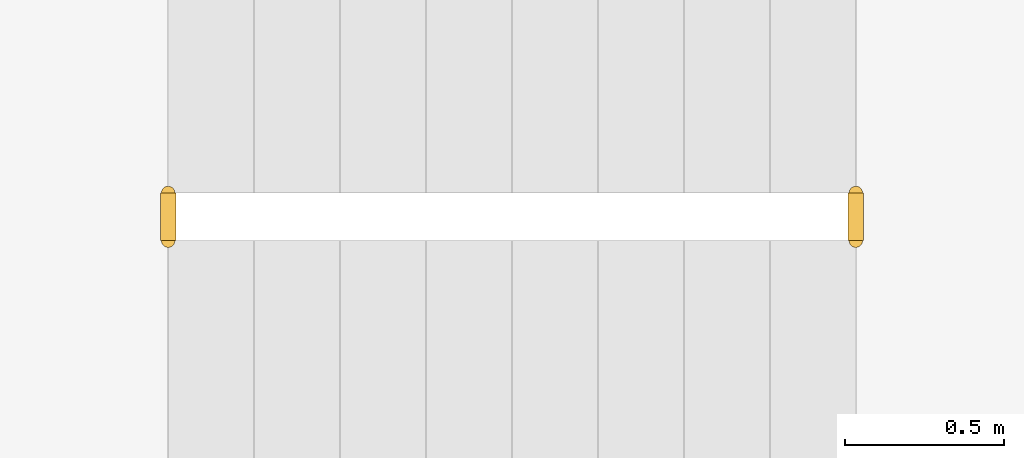
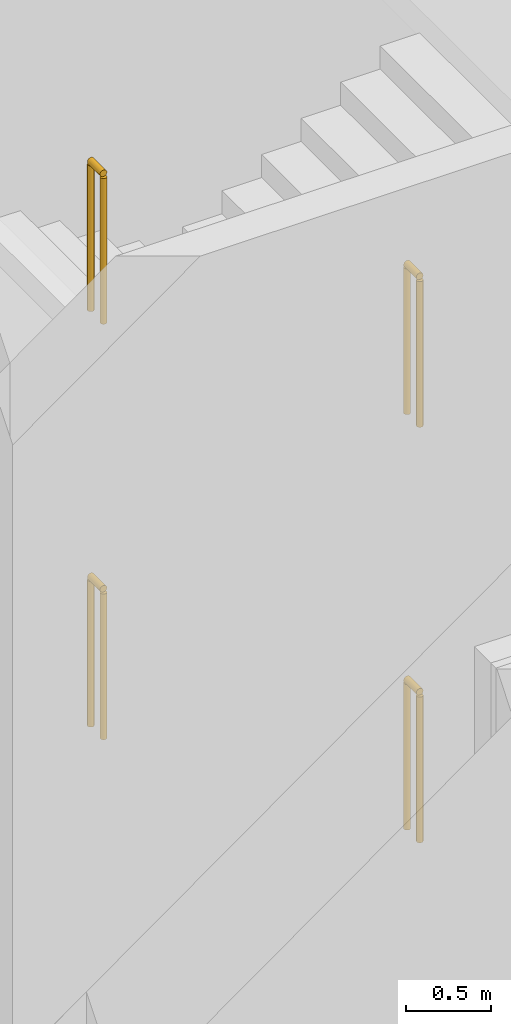
# One storey, part 16 of 25: 4 railings.
"""IFC4 building model written with IfcOpenShell, lengths in metres."""

import ifcopenshell
import ifcopenshell.guid

model = None  # the IFC model being written
_history = None  # IfcOwnerHistory: only IFC2X3 demands one
_inside = {}  # id of a spatial element -> (the spatial element, [elements in it])
_under = {}  # id of a project, library or spatial element -> (it, [spatial elements below it])
_declared = {}  # id of a project -> (the project, [libraries it declares])
_typed = {}  # id of a type object -> (the type object, [elements of that type])
_made_of = {}  # id of a material, layer set ... -> (it, [elements and type objects made of it])


def new_model(schema):
    """Start an empty IFC model of exactly this schema.

    Asked for "IFC4X3", IfcOpenShell would pick the latest addendum, in which some entities
    have other attributes; the version numbers below select the first issue.
    IFC2X3 requires an IfcOwnerHistory on every rooted entity: one is made here for all.
    """
    global model, _history
    if schema == "IFC4X3":
        model = ifcopenshell.file(schema_version=(4, 3, 0, 0))
    else:
        model = ifcopenshell.file(schema=schema)
    _inside.clear()
    _under.clear()
    _declared.clear()
    _typed.clear()
    _made_of.clear()
    _history = None
    if model.schema == "IFC2X3":
        org = make("IfcOrganization", Name="unknown")
        user = make(
            "IfcPersonAndOrganization",
            ThePerson=make("IfcPerson", FamilyName="unknown"),
            TheOrganization=org,
        )
        app = make(
            "IfcApplication",
            ApplicationDeveloper=org,
            Version="unknown",
            ApplicationFullName="unknown",
            ApplicationIdentifier="unknown",
        )
        _history = make(
            "IfcOwnerHistory",
            OwningUser=user,
            OwningApplication=app,
            ChangeAction="ADDED",
            CreationDate=0,
        )
    return model


def make(cls, **values):
    """One entity of the class cls with the attributes given. An attribute that is None is left unset."""
    return model.create_entity(
        cls, **{name: value for name, value in values.items() if value is not None}
    )


def rooted(cls, **values):
    """An entity with a GlobalId (a new one), such as an element, a storey or a relation."""
    return make(cls, GlobalId=ifcopenshell.guid.new(), OwnerHistory=_history, **values)


def si_unit(unit_type, name, prefix=None):
    """IfcSIUnit, for example si_unit("LENGTHUNIT", "METRE", prefix="MILLI")."""
    return make("IfcSIUnit", UnitType=unit_type, Prefix=prefix, Name=name)


def assignment(units):
    """IfcUnitAssignment: the units of a project."""
    return None if units is None else make("IfcUnitAssignment", Units=units)


def point(xyz):
    """IfcCartesianPoint."""
    return None if xyz is None else make("IfcCartesianPoint", Coordinates=xyz)


def direction(xyz):
    """IfcDirection."""
    return None if xyz is None else make("IfcDirection", DirectionRatios=xyz)


def frame(location, z_axis=None, x_axis=None):
    """IfcAxis2Placement3D, a coordinate frame: its origin and axes. An axis left out is left unset."""
    return make(
        "IfcAxis2Placement3D",
        Location=point(location),
        Axis=direction(z_axis),
        RefDirection=direction(x_axis),
    )


def frame_2d(location, x_axis=None):
    """IfcAxis2Placement2D, a coordinate frame in the plane: its origin and x axis."""
    return make(
        "IfcAxis2Placement2D", Location=point(location), RefDirection=direction(x_axis)
    )


def origin():
    """The frame at (0, 0, 0) with its axes left unset."""
    return frame((0.0, 0.0, 0.0))


def origin_2d():
    """The frame at (0, 0) in the plane with its x axis left unset."""
    return frame_2d((0.0, 0.0))


def place(relative_to, where):
    """IfcLocalPlacement: puts the frame where relative to a parent placement (None: the world)."""
    return make(
        "IfcLocalPlacement", PlacementRelTo=relative_to, RelativePlacement=where
    )


def context(
    kind, dimensions, precision=None, world=None, true_north=None, identifier=None
):
    """IfcGeometricRepresentationContext, for example the 3D "Model" context."""
    return make(
        "IfcGeometricRepresentationContext",
        ContextIdentifier=identifier,
        ContextType=kind,
        CoordinateSpaceDimension=dimensions,
        Precision=precision,
        WorldCoordinateSystem=world,
        TrueNorth=true_north,
    )


def subcontext(parent, identifier, kind, view, scale=None):
    """IfcGeometricRepresentationSubContext, for example "Body" below "Model"."""
    return make(
        "IfcGeometricRepresentationSubContext",
        ContextIdentifier=identifier,
        ContextType=kind,
        ParentContext=parent,
        TargetScale=scale,
        TargetView=view,
    )


def project(units=None, contexts=None):
    """IfcProject with its units and contexts."""
    return rooted(
        "IfcProject",
        Name="project",
        RepresentationContexts=contexts,
        UnitsInContext=assignment(units),
    )


def spatial(cls, under=None, at=None, **own):
    """A site, building, storey or space (cls), placed at a placement, below another one or the project."""
    s = rooted(cls, ObjectPlacement=at, **own)
    if under is not None:
        _under.setdefault(under.id(), (under, []))[1].append(s)
    return s


def profile(cls, at=None, kind="AREA", **sizes):
    """A parametric profile (cls). Its sizes go by their IFC names, for example OverallWidth=200.0."""
    return make(cls, ProfileType=kind, Position=at, **sizes)


def circle(**sizes):
    """IfcCircleProfileDef."""
    return profile("IfcCircleProfileDef", **sizes)


def extrude(swept, where, along, depth):
    """IfcExtrudedAreaSolid: the profile swept, set in the frame where, extruded along a direction by depth."""
    return make(
        "IfcExtrudedAreaSolid",
        SweptArea=swept,
        Position=where,
        ExtrudedDirection=direction(along),
        Depth=depth,
    )


def shape(context_of_items, identifier, shape_type, items):
    """IfcShapeRepresentation: the items that make up one representation, for example the "Body"."""
    return make(
        "IfcShapeRepresentation",
        ContextOfItems=context_of_items,
        RepresentationIdentifier=identifier,
        RepresentationType=shape_type,
        Items=items,
    )


def material(Name=None, Category=None):
    """IfcMaterial."""
    return make("IfcMaterial", Name=Name, Category=Category)


def made_of(thing, what):
    """Note that an element or type object is made of a material, layer set ...; save() writes the relation."""
    if what is not None:
        _made_of.setdefault(what.id(), (what, []))[1].append(thing)
    return thing


def type_object(cls, material=None, **own):
    """A type object (cls), such as IfcWallType, which elements share."""
    return made_of(rooted(cls, **own), material)


def element(
    cls,
    number,
    at=None,
    inside=None,
    cuts=None,
    type_object=None,
    material=None,
    context=None,
    identifier="Body",
    shape_type=None,
    held_by="IfcProductDefinitionShape",
    body=None,
    shapes=None,
    **own,
):
    """One element of the class cls, such as IfcWall. Its Tag is "e" and its number.

    at: its placement. inside: the storey or other place that contains it. cuts: it is an
    opening in that element (IfcRelVoidsElement). A single representation is given by context,
    identifier, shape_type and body (its items); several are given by shapes. held_by: the class
    of the entity that holds the representations. save() writes the other relations.
    """
    e = rooted(cls, Tag="e%d" % number, ObjectPlacement=at, **own)
    if body is not None:
        shapes = [shape(context, identifier, shape_type, body)]
    if shapes is not None:
        e.Representation = make(held_by, Representations=shapes)
    if inside is not None:
        _inside.setdefault(inside.id(), (inside, []))[1].append(e)
    if cuts is not None:
        rooted(
            "IfcRelVoidsElement", RelatingBuildingElement=cuts, RelatedOpeningElement=e
        )
    if type_object is not None:
        _typed.setdefault(type_object.id(), (type_object, []))[1].append(e)
    return made_of(e, material)


def aggregate(whole, parts):
    """IfcRelAggregates: a whole, such as a stair, and the parts it consists of."""
    return rooted("IfcRelAggregates", RelatingObject=whole, RelatedObjects=parts)


def save(model, path):
    """Write the relations noted so far, then the file.

    IfcRelAggregates (storeys below a building ...), IfcRelContainedInSpatialStructure (elements
    in a storey), IfcRelDefinesByType, IfcRelAssociatesMaterial and IfcRelDeclares: one each for
    every whole, place, type object, material and project.
    """
    for whole, parts in _under.values():
        aggregate(whole, parts)
    for where, things in _inside.values():
        rooted(
            "IfcRelContainedInSpatialStructure",
            RelatedElements=things,
            RelatingStructure=where,
        )
    for kind, things in _typed.values():
        rooted("IfcRelDefinesByType", RelatedObjects=things, RelatingType=kind)
    for what, things in _made_of.values():
        rooted("IfcRelAssociatesMaterial", RelatedObjects=things, RelatingMaterial=what)
    for by, libraries in _declared.values():
        rooted("IfcRelDeclares", RelatingContext=by, RelatedDefinitions=libraries)
    model.write(path)


model = new_model("IFC4")

# Units and contexts
model_context = context("Model", 3, precision=1e-05, world=origin(), true_north=direction((0.0, 1.0)))
body_context = subcontext(model_context, "Body", "Model", "MODEL_VIEW")
ifc_project = project(units=[si_unit("LENGTHUNIT", "METRE"), si_unit("AREAUNIT", "SQUARE_METRE"), si_unit("VOLUMEUNIT", "CUBIC_METRE"), si_unit("PLANEANGLEUNIT", "RADIAN"), si_unit("MASSUNIT", "GRAM", prefix="KILO")], contexts=[model_context])

# Site, building, storey
site_placement = place(None, origin())
site = spatial("IfcSite", under=ifc_project, at=site_placement, CompositionType="ELEMENT")
building_placement = place(site_placement, origin())
building = spatial("IfcBuilding", under=site, at=building_placement, Name="Isbrekke Arena Tower", CompositionType="ELEMENT")
storey_placement = place(building_placement, frame((0.0, 0.0, 6.0)))
storey = spatial("IfcBuildingStorey", under=building, at=storey_placement, Name="L01", CompositionType="ELEMENT", Elevation=6.0)

# Railings
ifc_material = material(Name="Steel stair guard, vertical bars, steel handrail", Category="steel")
railing_type = type_object("IfcRailingType", Name="GR3 STAIR WELL GUARD 1100", PredefinedType="GUARDRAIL", material=ifc_material)
for number, where, name in (
    (1, (4.675048828125, -70.02490234375, 0.0), "GR3 stair well guard P5 L01"),
    (2, (2.514892578125, -70.02490234375, 1.5), "GR3 stair well guard P5 L01"),
    (3, (4.675048828125, -70.02490234375, 3.0), "GR3 stair well guard P5 L01"),
    (4, (2.514892578125, -70.02490234375, 4.5), "GR3 stair well guard P5 L01"),
):
    element("IfcRailing", number, at=place(storey_placement, frame(where)), inside=storey, type_object=railing_type, Name=name, PredefinedType="GUARDRAIL", context=body_context, shape_type="SweptSolid", body=[
        extrude(circle(Radius=0.02392578125, at=origin_2d()), frame((0.0, 0.0, 1.076171875), z_axis=(0.0, -1.0, 0.0), x_axis=(1.0, 0.0, 0.0)), (0.0, 0.0, 1.0), 0.150146484375),
        extrude(circle(Radius=0.02099609375, at=origin_2d()), origin(), (0.0, 0.0, 1.0), 1.052001953125),
        extrude(circle(Radius=0.02099609375, at=origin_2d()), frame((0.0, -0.150146484375, 0.0)), (0.0, 0.0, 1.0), 1.052001953125),
    ])

save(model, "model.ifc")
